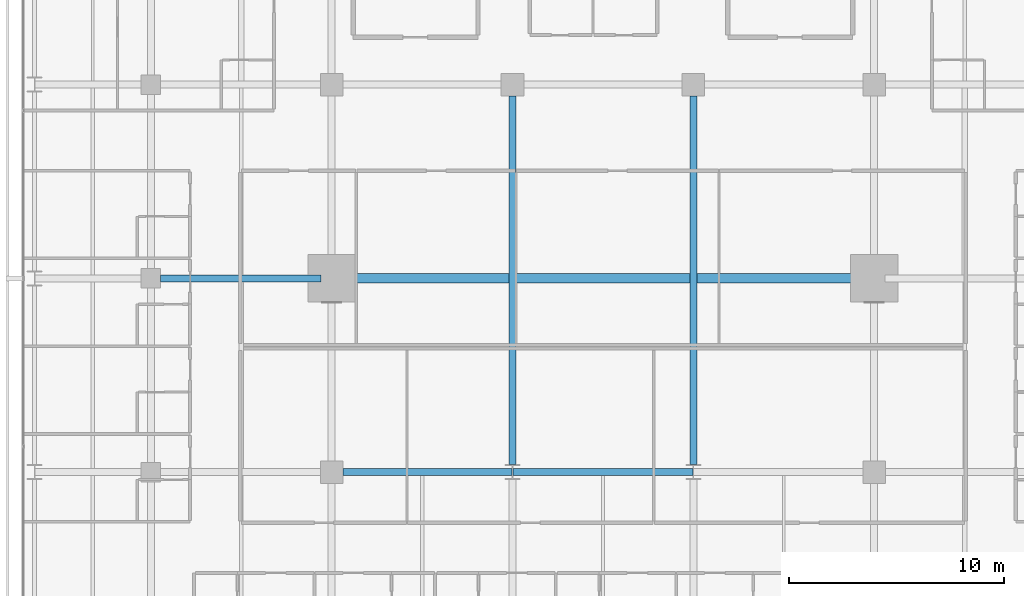
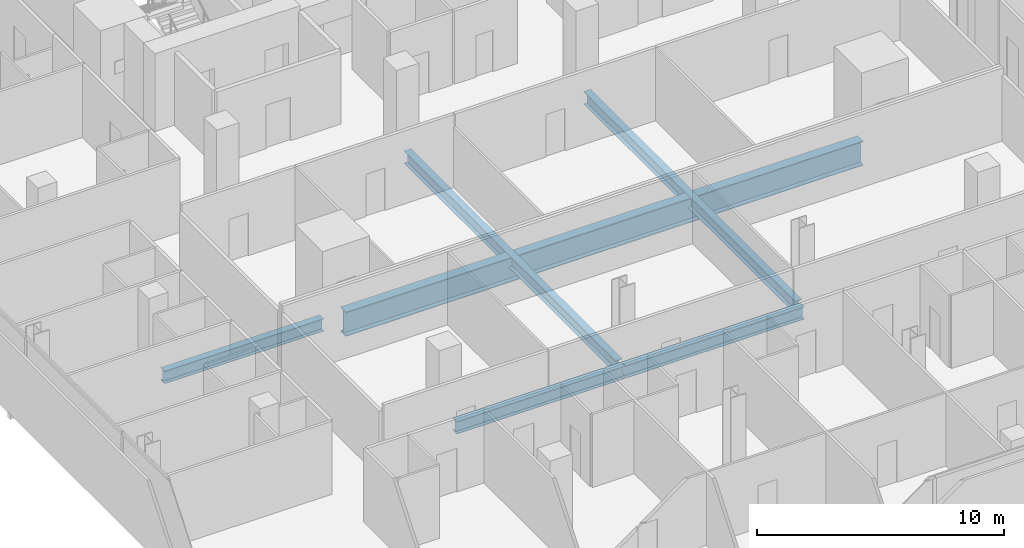
# One storey, part 13 of 41: 6 beams.
"""IFC4 building model written with IfcOpenShell, lengths in metres."""

from ifc_helpers import new_model, si_unit, direction, frame, origin, origin_2d, place, context, subcontext, project, spatial, i_section, extrude, material, material_profile, profile_set, type_object, element, save


model = new_model("IFC4")

# Units and contexts
model_context = context("Model", 3, precision=1e-05, world=origin(), true_north=direction((0.0, 1.0)))
body_context = subcontext(model_context, "Body", "Model", "MODEL_VIEW")
ifc_project = project(units=[si_unit("LENGTHUNIT", "METRE"), si_unit("AREAUNIT", "SQUARE_METRE"), si_unit("VOLUMEUNIT", "CUBIC_METRE"), si_unit("PLANEANGLEUNIT", "RADIAN"), si_unit("MASSUNIT", "GRAM", prefix="KILO")], contexts=[model_context])

# Site, building, storey
site_placement = place(None, origin())
site = spatial("IfcSite", under=ifc_project, at=site_placement, CompositionType="ELEMENT")
building_placement = place(site_placement, origin())
building = spatial("IfcBuilding", under=site, at=building_placement, Name="Maruvema Waterfront Hotel and Observation Tower", CompositionType="ELEMENT")
storey_placement = place(building_placement, frame((0.0, 0.0, 61.60009765625)))
storey = spatial("IfcBuildingStorey", under=building, at=storey_placement, Name="L14", CompositionType="ELEMENT", Elevation=61.60009765625)

# Beams
ifc_material_1 = material(Name="Steel ASTM A572 Grade 50", Category="steel")
ifc_material_profile_1 = material_profile(ifc_material_1, i_section(OverallWidth=0.326904296875, OverallDepth=0.6220703125, WebThickness=0.015380859375, FlangeThickness=0.0244140625, FilletRadius=0.01806640625, at=origin_2d()), Name="W610x195.0")
ifc_profile_set_1 = profile_set([ifc_material_profile_1], Name="Steel ASTM A572 Grade 50")
beam_type_1 = type_object("IfcBeamType", Name="Primary Floor Girder W610x195.0", PredefinedType="BEAM", material=ifc_profile_set_1)
beam_1_placement = place(storey_placement, frame((25.72509765625, 18.0, -0.551025390625), z_axis=(1.0, 0.0, 0.0), x_axis=(0.0, 1.0, 0.0)))
element("IfcBeam", 1, at=beam_1_placement, inside=storey, type_object=beam_type_1, Name="L14 Floor Girder EW-15", PredefinedType="BEAM", context=body_context, shape_type="SweptSolid", body=[
    extrude(i_section(OverallWidth=0.326904296875, OverallDepth=0.6220703125, WebThickness=0.015380859375, FlangeThickness=0.0244140625, FilletRadius=0.01806640625, at=origin_2d()), origin(), (0.0, 0.0, 1.0), 7.86083984375),
])
beam_2_placement = place(storey_placement, frame((33.614013671875, 18.0, -0.551025390625), z_axis=(1.0, 0.0, 0.0), x_axis=(0.0, 1.0, 0.0)))
element("IfcBeam", 2, at=beam_2_placement, inside=storey, type_object=beam_type_1, Name="L14 Floor Girder EW-16", PredefinedType="BEAM", context=body_context, shape_type="SweptSolid", body=[
    extrude(i_section(OverallWidth=0.326904296875, OverallDepth=0.6220703125, WebThickness=0.015380859375, FlangeThickness=0.0244140625, FilletRadius=0.01806640625, at=origin_2d()), origin(), (0.0, 0.0, 1.0), 8.3720703125),
])
beam_3_placement = place(storey_placement, frame((17.25, 27.0, -0.551025390625), z_axis=(1.0, 0.0, 0.0), x_axis=(0.0, 1.0, 0.0)))
element("IfcBeam", 3, at=beam_3_placement, inside=storey, type_object=beam_type_1, Name="L14 Floor Girder EW-21", PredefinedType="BEAM", context=body_context, shape_type="SweptSolid", body=[
    extrude(i_section(OverallWidth=0.326904296875, OverallDepth=0.6220703125, WebThickness=0.015380859375, FlangeThickness=0.0244140625, FilletRadius=0.01806640625, at=origin_2d()), origin(), (0.0, 0.0, 1.0), 7.449951171875),
])
for number, where, z_axis, x_axis, name in (
    (4, (33.60009765625, 18.35009765625, -0.551025390625), (0.0, 1.0, 0.0), (-1.0, 0.0, 0.0), "L14 Floor Girder NS-18"),
    (5, (42.0, 18.35009765625, -0.551025390625), (0.0, 1.0, 0.0), (-1.0, 0.0, 0.0), "L14 Floor Girder NS-21"),
):
    element("IfcBeam", number, at=place(storey_placement, frame(where, z_axis=z_axis, x_axis=x_axis)), inside=storey, type_object=beam_type_1, Name=name, PredefinedType="BEAM", context=body_context, shape_type="SweptSolid", body=[
        extrude(i_section(OverallWidth=0.326904296875, OverallDepth=0.6220703125, WebThickness=0.015380859375, FlangeThickness=0.0244140625, FilletRadius=0.01806640625, at=origin_2d()), origin(), (0.0, 0.0, 1.0), 17.125),
    ])
ifc_material_2 = material(Name="Steel ABNT NBR 7007 AR 415 (ASTM A572 Grade 50)", Category="steel")
ifc_material_profile_2 = material_profile(ifc_material_2, i_section(OverallWidth=0.449951171875, OverallDepth=1.199951171875, WebThickness=0.01904296875, FlangeThickness=0.031982421875, at=origin_2d()), Name="VS1200x366")
ifc_profile_set_2 = profile_set([ifc_material_profile_2], Name="Steel ABNT NBR 7007 AR 415 (ASTM A572 Grade 50)")
beam_type_2 = type_object("IfcBeamType", Name="Upper Setback Transfer Girder VS1200x366", PredefinedType="USERDEFINED", material=ifc_profile_set_2)
beam_4_placement = place(storey_placement, frame((25.699951171875, 27.0, -0.840087890625), z_axis=(1.0, 0.0, 0.0), x_axis=(0.0, 1.0, 0.0)))
element("IfcBeam", 6, at=beam_4_placement, inside=storey, type_object=beam_type_2, Name="L14 Floor Girder EW-22", ObjectType="TRANSFER GIRDER", PredefinedType="USERDEFINED", context=body_context, shape_type="SweptSolid", body=[
    extrude(i_section(OverallWidth=0.449951171875, OverallDepth=1.199951171875, WebThickness=0.01904296875, FlangeThickness=0.031982421875, at=origin_2d()), origin(), (0.0, 0.0, 1.0), 24.199951171875),
])

save(model, "model.ifc")
